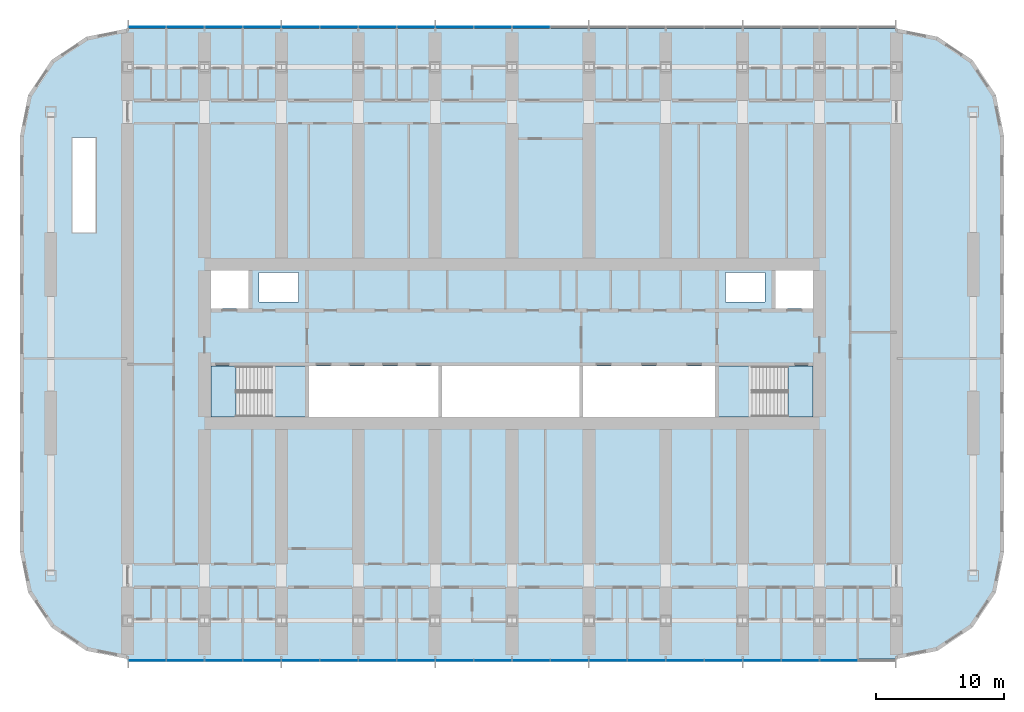
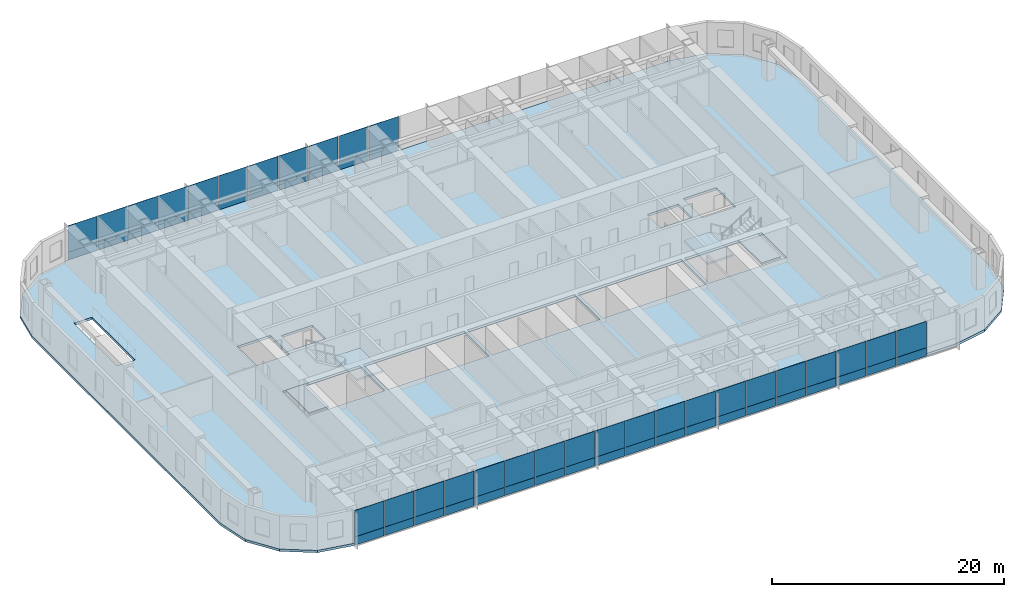
# One storey, part 8 of 24: 60 plates, 5 slabs, 4 elements without a shape of their own.
"""IFC4 building model written with IfcOpenShell, lengths in metres."""

import ifcopenshell
import ifcopenshell.guid

model = None  # the IFC model being written
_history = None  # IfcOwnerHistory: only IFC2X3 demands one
_inside = {}  # id of a spatial element -> (the spatial element, [elements in it])
_under = {}  # id of a project, library or spatial element -> (it, [spatial elements below it])
_declared = {}  # id of a project -> (the project, [libraries it declares])
_typed = {}  # id of a type object -> (the type object, [elements of that type])
_made_of = {}  # id of a material, layer set ... -> (it, [elements and type objects made of it])


def new_model(schema):
    """Start an empty IFC model of exactly this schema.

    Asked for "IFC4X3", IfcOpenShell would pick the latest addendum, in which some entities
    have other attributes; the version numbers below select the first issue.
    IFC2X3 requires an IfcOwnerHistory on every rooted entity: one is made here for all.
    """
    global model, _history
    if schema == "IFC4X3":
        model = ifcopenshell.file(schema_version=(4, 3, 0, 0))
    else:
        model = ifcopenshell.file(schema=schema)
    _inside.clear()
    _under.clear()
    _declared.clear()
    _typed.clear()
    _made_of.clear()
    _history = None
    if model.schema == "IFC2X3":
        org = make("IfcOrganization", Name="unknown")
        user = make(
            "IfcPersonAndOrganization",
            ThePerson=make("IfcPerson", FamilyName="unknown"),
            TheOrganization=org,
        )
        app = make(
            "IfcApplication",
            ApplicationDeveloper=org,
            Version="unknown",
            ApplicationFullName="unknown",
            ApplicationIdentifier="unknown",
        )
        _history = make(
            "IfcOwnerHistory",
            OwningUser=user,
            OwningApplication=app,
            ChangeAction="ADDED",
            CreationDate=0,
        )
    return model


def make(cls, **values):
    """One entity of the class cls with the attributes given. An attribute that is None is left unset."""
    return model.create_entity(
        cls, **{name: value for name, value in values.items() if value is not None}
    )


def rooted(cls, **values):
    """An entity with a GlobalId (a new one), such as an element, a storey or a relation."""
    return make(cls, GlobalId=ifcopenshell.guid.new(), OwnerHistory=_history, **values)


def si_unit(unit_type, name, prefix=None):
    """IfcSIUnit, for example si_unit("LENGTHUNIT", "METRE", prefix="MILLI")."""
    return make("IfcSIUnit", UnitType=unit_type, Prefix=prefix, Name=name)


def assignment(units):
    """IfcUnitAssignment: the units of a project."""
    return None if units is None else make("IfcUnitAssignment", Units=units)


def point(xyz):
    """IfcCartesianPoint."""
    return None if xyz is None else make("IfcCartesianPoint", Coordinates=xyz)


def direction(xyz):
    """IfcDirection."""
    return None if xyz is None else make("IfcDirection", DirectionRatios=xyz)


def frame(location, z_axis=None, x_axis=None):
    """IfcAxis2Placement3D, a coordinate frame: its origin and axes. An axis left out is left unset."""
    return make(
        "IfcAxis2Placement3D",
        Location=point(location),
        Axis=direction(z_axis),
        RefDirection=direction(x_axis),
    )


def frame_2d(location, x_axis=None):
    """IfcAxis2Placement2D, a coordinate frame in the plane: its origin and x axis."""
    return make(
        "IfcAxis2Placement2D", Location=point(location), RefDirection=direction(x_axis)
    )


def origin():
    """The frame at (0, 0, 0) with its axes left unset."""
    return frame((0.0, 0.0, 0.0))


def origin_2d():
    """The frame at (0, 0) in the plane with its x axis left unset."""
    return frame_2d((0.0, 0.0))


def place(relative_to, where):
    """IfcLocalPlacement: puts the frame where relative to a parent placement (None: the world)."""
    return make(
        "IfcLocalPlacement", PlacementRelTo=relative_to, RelativePlacement=where
    )


def context(
    kind, dimensions, precision=None, world=None, true_north=None, identifier=None
):
    """IfcGeometricRepresentationContext, for example the 3D "Model" context."""
    return make(
        "IfcGeometricRepresentationContext",
        ContextIdentifier=identifier,
        ContextType=kind,
        CoordinateSpaceDimension=dimensions,
        Precision=precision,
        WorldCoordinateSystem=world,
        TrueNorth=true_north,
    )


def subcontext(parent, identifier, kind, view, scale=None):
    """IfcGeometricRepresentationSubContext, for example "Body" below "Model"."""
    return make(
        "IfcGeometricRepresentationSubContext",
        ContextIdentifier=identifier,
        ContextType=kind,
        ParentContext=parent,
        TargetScale=scale,
        TargetView=view,
    )


def project(units=None, contexts=None):
    """IfcProject with its units and contexts."""
    return rooted(
        "IfcProject",
        Name="project",
        RepresentationContexts=contexts,
        UnitsInContext=assignment(units),
    )


def spatial(cls, under=None, at=None, **own):
    """A site, building, storey or space (cls), placed at a placement, below another one or the project."""
    s = rooted(cls, ObjectPlacement=at, **own)
    if under is not None:
        _under.setdefault(under.id(), (under, []))[1].append(s)
    return s


def polyline(points):
    """IfcPolyline through the points."""
    return make("IfcPolyline", Points=[point(p) for p in points])


def profile(cls, at=None, kind="AREA", **sizes):
    """A parametric profile (cls). Its sizes go by their IFC names, for example OverallWidth=200.0."""
    return make(cls, ProfileType=kind, Position=at, **sizes)


def rectangle(**sizes):
    """IfcRectangleProfileDef."""
    return profile("IfcRectangleProfileDef", **sizes)


def outline(outer, holes=None, kind="AREA"):
    """IfcArbitraryClosedProfileDef: a profile drawn as a closed curve; with holes, ...WithVoids."""
    if holes is None:
        return make("IfcArbitraryClosedProfileDef", ProfileType=kind, OuterCurve=outer)
    return make(
        "IfcArbitraryProfileDefWithVoids",
        ProfileType=kind,
        OuterCurve=outer,
        InnerCurves=holes,
    )


def extrude(swept, where, along, depth):
    """IfcExtrudedAreaSolid: the profile swept, set in the frame where, extruded along a direction by depth."""
    return make(
        "IfcExtrudedAreaSolid",
        SweptArea=swept,
        Position=where,
        ExtrudedDirection=direction(along),
        Depth=depth,
    )


def shape(context_of_items, identifier, shape_type, items):
    """IfcShapeRepresentation: the items that make up one representation, for example the "Body"."""
    return make(
        "IfcShapeRepresentation",
        ContextOfItems=context_of_items,
        RepresentationIdentifier=identifier,
        RepresentationType=shape_type,
        Items=items,
    )


def material(Name=None, Category=None):
    """IfcMaterial."""
    return make("IfcMaterial", Name=Name, Category=Category)


def layer(
    of_material, thickness, ventilated=None, Name=None, Category=None, Priority=None
):
    """IfcMaterialLayer: one layer of a wall or slab, of a material (None: an air gap)."""
    return make(
        "IfcMaterialLayer",
        Material=of_material,
        LayerThickness=thickness,
        IsVentilated=ventilated,
        Name=Name,
        Category=Category,
        Priority=Priority,
    )


def layer_set(layers, Name=None):
    """IfcMaterialLayerSet."""
    return make("IfcMaterialLayerSet", MaterialLayers=layers, LayerSetName=Name)


def made_of(thing, what):
    """Note that an element or type object is made of a material, layer set ...; save() writes the relation."""
    if what is not None:
        _made_of.setdefault(what.id(), (what, []))[1].append(thing)
    return thing


def type_object(cls, material=None, **own):
    """A type object (cls), such as IfcWallType, which elements share."""
    return made_of(rooted(cls, **own), material)


def element(
    cls,
    number,
    at=None,
    inside=None,
    cuts=None,
    type_object=None,
    material=None,
    context=None,
    identifier="Body",
    shape_type=None,
    held_by="IfcProductDefinitionShape",
    body=None,
    shapes=None,
    **own,
):
    """One element of the class cls, such as IfcWall. Its Tag is "e" and its number.

    at: its placement. inside: the storey or other place that contains it. cuts: it is an
    opening in that element (IfcRelVoidsElement). A single representation is given by context,
    identifier, shape_type and body (its items); several are given by shapes. held_by: the class
    of the entity that holds the representations. save() writes the other relations.
    """
    e = rooted(cls, Tag="e%d" % number, ObjectPlacement=at, **own)
    if body is not None:
        shapes = [shape(context, identifier, shape_type, body)]
    if shapes is not None:
        e.Representation = make(held_by, Representations=shapes)
    if inside is not None:
        _inside.setdefault(inside.id(), (inside, []))[1].append(e)
    if cuts is not None:
        rooted(
            "IfcRelVoidsElement", RelatingBuildingElement=cuts, RelatedOpeningElement=e
        )
    if type_object is not None:
        _typed.setdefault(type_object.id(), (type_object, []))[1].append(e)
    return made_of(e, material)


def aggregate(whole, parts):
    """IfcRelAggregates: a whole, such as a stair, and the parts it consists of."""
    return rooted("IfcRelAggregates", RelatingObject=whole, RelatedObjects=parts)


def save(model, path):
    """Write the relations noted so far, then the file.

    IfcRelAggregates (storeys below a building ...), IfcRelContainedInSpatialStructure (elements
    in a storey), IfcRelDefinesByType, IfcRelAssociatesMaterial and IfcRelDeclares: one each for
    every whole, place, type object, material and project.
    """
    for whole, parts in _under.values():
        aggregate(whole, parts)
    for where, things in _inside.values():
        rooted(
            "IfcRelContainedInSpatialStructure",
            RelatedElements=things,
            RelatingStructure=where,
        )
    for kind, things in _typed.values():
        rooted("IfcRelDefinesByType", RelatedObjects=things, RelatingType=kind)
    for what, things in _made_of.values():
        rooted("IfcRelAssociatesMaterial", RelatedObjects=things, RelatingMaterial=what)
    for by, libraries in _declared.values():
        rooted("IfcRelDeclares", RelatingContext=by, RelatedDefinitions=libraries)
    model.write(path)


model = new_model("IFC4")

# Units and contexts
model_context = context("Model", 3, precision=1e-05, world=origin(), true_north=direction((0.0, 1.0)))
body_context = subcontext(model_context, "Body", "Model", "MODEL_VIEW")
ifc_project = project(units=[si_unit("LENGTHUNIT", "METRE"), si_unit("AREAUNIT", "SQUARE_METRE"), si_unit("VOLUMEUNIT", "CUBIC_METRE"), si_unit("PLANEANGLEUNIT", "RADIAN"), si_unit("MASSUNIT", "GRAM", prefix="KILO")], contexts=[model_context])

# Site, building, storey
site_placement = place(None, origin())
site = spatial("IfcSite", under=ifc_project, at=site_placement, CompositionType="ELEMENT")
building_placement = place(site_placement, origin())
building = spatial("IfcBuilding", under=site, at=building_placement, Name="Orbita Commons", CompositionType="ELEMENT")
storey_placement = place(building_placement, frame((0.0, 0.0, 27.699951171875)))
storey = spatial("IfcBuildingStorey", under=building, at=storey_placement, Name="L06", CompositionType="ELEMENT", Elevation=27.699951171875)

# Slab
ifc_material_1 = material(Name="Concrete C40/50", Category="concrete")
ifc_layer_1 = layer(ifc_material_1, 0.25)
ifc_layer_set_1 = layer_set([ifc_layer_1], Name="Concrete C40/50")
slab_type_1 = type_object("IfcSlabType", Name="Floor slab 250", PredefinedType="FLOOR", material=ifc_layer_set_1)
slab_1_placement = place(storey_placement, frame((0.0, 0.0, -0.25)))
element("IfcSlab", 1, at=slab_1_placement, inside=storey, type_object=slab_type_1, Name="Floor slab L06", PredefinedType="FLOOR", context=body_context, shape_type="SweptSolid", body=[
    extrude(outline(polyline([(72.0, 7.39990234375), (75.214599609375, 8.039306640625), (77.939697265625, 9.8603515625), (79.760498046875, 12.58544921875), (80.39990234375, 15.800048828125), (80.39990234375, 48.199951171875), (79.760498046875, 51.41455078125), (77.939697265625, 54.1396484375), (75.214599609375, 55.960693359375), (72.0, 56.60009765625), (12.0, 56.60009765625), (8.785400390625, 55.960693359375), (6.060302734375, 54.1396484375), (4.239501953125, 51.41455078125), (3.60009765625, 48.199951171875), (3.60009765625, 15.800048828125), (4.239501953125, 12.58544921875), (6.060302734375, 9.8603515625), (8.785400390625, 8.039306640625), (12.0, 7.39990234375), (72.0, 7.39990234375)]), holes=[polyline([(18.14990234375, 25.949951171875), (25.85009765625, 25.949951171875), (25.85009765625, 30.25), (18.14990234375, 30.25), (18.14990234375, 25.949951171875)]), polyline([(58.14990234375, 25.949951171875), (65.85009765625, 25.949951171875), (65.85009765625, 30.25), (58.14990234375, 30.25), (58.14990234375, 25.949951171875)]), polyline([(18.14990234375, 34.75), (21.449951171875, 34.75), (21.449951171875, 38.050048828125), (18.14990234375, 38.050048828125), (18.14990234375, 34.75)]), polyline([(62.550048828125, 34.75), (65.85009765625, 34.75), (65.85009765625, 38.050048828125), (62.550048828125, 38.050048828125), (62.550048828125, 34.75)]), polyline([(22.25, 35.25), (25.35009765625, 35.25), (25.35009765625, 37.550048828125), (22.25, 37.550048828125), (22.25, 35.25)]), polyline([(58.64990234375, 35.25), (61.75, 35.25), (61.75, 37.550048828125), (58.64990234375, 37.550048828125), (58.64990234375, 35.25)]), polyline([(26.14990234375, 25.949951171875), (36.25, 25.949951171875), (36.25, 30.25), (26.14990234375, 30.25), (26.14990234375, 25.949951171875)]), polyline([(36.550048828125, 25.949951171875), (47.25, 25.949951171875), (47.25, 30.25), (36.550048828125, 30.25), (36.550048828125, 25.949951171875)]), polyline([(47.550048828125, 25.949951171875), (57.85009765625, 25.949951171875), (57.85009765625, 30.25), (47.550048828125, 30.25), (47.550048828125, 25.949951171875)]), polyline([(7.699951171875, 40.699951171875), (9.5, 40.699951171875), (9.5, 48.10009765625), (7.699951171875, 48.10009765625), (7.699951171875, 40.699951171875)])]), origin(), (0.0, 0.0, 1.0), 0.25),
])

# Curtain wall, plates
ifc_material_2 = material(Name="Anodised aluminium frame, pale silver", Category="aluminium")
curtain_wall_type = type_object("IfcCurtainWallType", Name="Unitised curtain wall CW-T, vision and spandrel", PredefinedType="NOTDEFINED", material=ifc_material_2)
curtain_wall_1_placement = place(storey_placement, origin())
curtain_wall_1 = element("IfcCurtainWall", 2, at=curtain_wall_1_placement, inside=storey, type_object=curtain_wall_type, Name="Curtain wall south L06", PredefinedType="NOTDEFINED")
ifc_material_3 = material(Name="Anodised aluminium sheet on mineral wool", Category="aluminium")
ifc_layer_2 = layer(ifc_material_3, 0.050048828125)
ifc_layer_set_2 = layer_set([ifc_layer_2], Name="Anodised aluminium sheet on mineral wool")
plate_type_1 = type_object("IfcPlateType", Name="Spandrel panel, pale aluminium over insulation 50", PredefinedType="CURTAIN_PANEL", material=ifc_layer_set_2)
plate_1_placement = place(storey_placement, frame((13.52001953125, 7.2900390625, -0.14990234375), z_axis=(0.0, 0.0, 1.0), x_axis=(1.0, 0.0, 0.0)))
plate_1 = element("IfcPlate", 3, at=plate_1_placement, type_object=plate_type_1, Name="Panel 1.1 CW-L06-S", PredefinedType="CURTAIN_PANEL", context=body_context, shape_type="SweptSolid", body=[
    extrude(rectangle(XDim=2.8798828125, YDim=0.050048828125, at=origin_2d()), origin(), (0.0, 0.0, 1.0), 0.875),
])
plate_2_placement = place(storey_placement, frame((16.5, 7.2900390625, -0.14990234375), z_axis=(0.0, 0.0, 1.0), x_axis=(1.0, 0.0, 0.0)))
plate_2 = element("IfcPlate", 4, at=plate_2_placement, type_object=plate_type_1, Name="Panel 2.1 CW-L06-S", PredefinedType="CURTAIN_PANEL", context=body_context, shape_type="SweptSolid", body=[
    extrude(rectangle(XDim=2.919921875, YDim=0.050048828125, at=origin_2d()), origin(), (0.0, 0.0, 1.0), 0.875),
])
plate_3_placement = place(storey_placement, frame((19.5, 7.2900390625, -0.14990234375), z_axis=(0.0, 0.0, 1.0), x_axis=(1.0, 0.0, 0.0)))
plate_3 = element("IfcPlate", 5, at=plate_3_placement, type_object=plate_type_1, Name="Panel 3.1 CW-L06-S", PredefinedType="CURTAIN_PANEL", context=body_context, shape_type="SweptSolid", body=[
    extrude(rectangle(XDim=2.919921875, YDim=0.050048828125, at=origin_2d()), origin(), (0.0, 0.0, 1.0), 0.875),
])
plate_4_placement = place(storey_placement, frame((22.5, 7.2900390625, -0.14990234375), z_axis=(0.0, 0.0, 1.0), x_axis=(1.0, 0.0, 0.0)))
plate_4 = element("IfcPlate", 6, at=plate_4_placement, type_object=plate_type_1, Name="Panel 4.1 CW-L06-S", PredefinedType="CURTAIN_PANEL", context=body_context, shape_type="SweptSolid", body=[
    extrude(rectangle(XDim=2.919921875, YDim=0.050048828125, at=origin_2d()), origin(), (0.0, 0.0, 1.0), 0.875),
])
plate_5_placement = place(storey_placement, frame((25.5, 7.2900390625, -0.14990234375), z_axis=(0.0, 0.0, 1.0), x_axis=(1.0, 0.0, 0.0)))
plate_5 = element("IfcPlate", 7, at=plate_5_placement, type_object=plate_type_1, Name="Panel 5.1 CW-L06-S", PredefinedType="CURTAIN_PANEL", context=body_context, shape_type="SweptSolid", body=[
    extrude(rectangle(XDim=2.919921875, YDim=0.050048828125, at=origin_2d()), origin(), (0.0, 0.0, 1.0), 0.875),
])
plate_6_placement = place(storey_placement, frame((28.5, 7.2900390625, -0.14990234375), z_axis=(0.0, 0.0, 1.0), x_axis=(1.0, 0.0, 0.0)))
plate_6 = element("IfcPlate", 8, at=plate_6_placement, type_object=plate_type_1, Name="Panel 6.1 CW-L06-S", PredefinedType="CURTAIN_PANEL", context=body_context, shape_type="SweptSolid", body=[
    extrude(rectangle(XDim=2.919921875, YDim=0.050048828125, at=origin_2d()), origin(), (0.0, 0.0, 1.0), 0.875),
])
plate_7_placement = place(storey_placement, frame((31.5, 7.2900390625, -0.14990234375), z_axis=(0.0, 0.0, 1.0), x_axis=(1.0, 0.0, 0.0)))
plate_7 = element("IfcPlate", 9, at=plate_7_placement, type_object=plate_type_1, Name="Panel 7.1 CW-L06-S", PredefinedType="CURTAIN_PANEL", context=body_context, shape_type="SweptSolid", body=[
    extrude(rectangle(XDim=2.919921875, YDim=0.050048828125, at=origin_2d()), origin(), (0.0, 0.0, 1.0), 0.875),
])
plate_8_placement = place(storey_placement, frame((34.5, 7.2900390625, -0.14990234375), z_axis=(0.0, 0.0, 1.0), x_axis=(1.0, 0.0, 0.0)))
plate_8 = element("IfcPlate", 10, at=plate_8_placement, type_object=plate_type_1, Name="Panel 8.1 CW-L06-S", PredefinedType="CURTAIN_PANEL", context=body_context, shape_type="SweptSolid", body=[
    extrude(rectangle(XDim=2.919921875, YDim=0.050048828125, at=origin_2d()), origin(), (0.0, 0.0, 1.0), 0.875),
])
plate_9_placement = place(storey_placement, frame((37.5, 7.2900390625, -0.14990234375), z_axis=(0.0, 0.0, 1.0), x_axis=(1.0, 0.0, 0.0)))
plate_9 = element("IfcPlate", 11, at=plate_9_placement, type_object=plate_type_1, Name="Panel 9.1 CW-L06-S", PredefinedType="CURTAIN_PANEL", context=body_context, shape_type="SweptSolid", body=[
    extrude(rectangle(XDim=2.919921875, YDim=0.050048828125, at=origin_2d()), origin(), (0.0, 0.0, 1.0), 0.875),
])
plate_10_placement = place(storey_placement, frame((40.5, 7.2900390625, -0.14990234375), z_axis=(0.0, 0.0, 1.0), x_axis=(1.0, 0.0, 0.0)))
plate_10 = element("IfcPlate", 12, at=plate_10_placement, type_object=plate_type_1, Name="Panel 10.1 CW-L06-S", PredefinedType="CURTAIN_PANEL", context=body_context, shape_type="SweptSolid", body=[
    extrude(rectangle(XDim=2.919921875, YDim=0.050048828125, at=origin_2d()), origin(), (0.0, 0.0, 1.0), 0.875),
])
plate_11_placement = place(storey_placement, frame((43.5, 7.2900390625, -0.14990234375), z_axis=(0.0, 0.0, 1.0), x_axis=(1.0, 0.0, 0.0)))
plate_11 = element("IfcPlate", 13, at=plate_11_placement, type_object=plate_type_1, Name="Panel 11.1 CW-L06-S", PredefinedType="CURTAIN_PANEL", context=body_context, shape_type="SweptSolid", body=[
    extrude(rectangle(XDim=2.919921875, YDim=0.050048828125, at=origin_2d()), origin(), (0.0, 0.0, 1.0), 0.875),
])
plate_12_placement = place(storey_placement, frame((46.5, 7.2900390625, -0.14990234375), z_axis=(0.0, 0.0, 1.0), x_axis=(1.0, 0.0, 0.0)))
plate_12 = element("IfcPlate", 14, at=plate_12_placement, type_object=plate_type_1, Name="Panel 12.1 CW-L06-S", PredefinedType="CURTAIN_PANEL", context=body_context, shape_type="SweptSolid", body=[
    extrude(rectangle(XDim=2.919921875, YDim=0.050048828125, at=origin_2d()), origin(), (0.0, 0.0, 1.0), 0.875),
])
plate_13_placement = place(storey_placement, frame((49.5, 7.2900390625, -0.14990234375), z_axis=(0.0, 0.0, 1.0), x_axis=(1.0, 0.0, 0.0)))
plate_13 = element("IfcPlate", 15, at=plate_13_placement, type_object=plate_type_1, Name="Panel 13.1 CW-L06-S", PredefinedType="CURTAIN_PANEL", context=body_context, shape_type="SweptSolid", body=[
    extrude(rectangle(XDim=2.919921875, YDim=0.050048828125, at=origin_2d()), origin(), (0.0, 0.0, 1.0), 0.875),
])
plate_14_placement = place(storey_placement, frame((52.5, 7.2900390625, -0.14990234375), z_axis=(0.0, 0.0, 1.0), x_axis=(1.0, 0.0, 0.0)))
plate_14 = element("IfcPlate", 16, at=plate_14_placement, type_object=plate_type_1, Name="Panel 14.1 CW-L06-S", PredefinedType="CURTAIN_PANEL", context=body_context, shape_type="SweptSolid", body=[
    extrude(rectangle(XDim=2.919921875, YDim=0.050048828125, at=origin_2d()), origin(), (0.0, 0.0, 1.0), 0.875),
])
plate_15_placement = place(storey_placement, frame((55.5, 7.2900390625, -0.14990234375), z_axis=(0.0, 0.0, 1.0), x_axis=(1.0, 0.0, 0.0)))
plate_15 = element("IfcPlate", 17, at=plate_15_placement, type_object=plate_type_1, Name="Panel 15.1 CW-L06-S", PredefinedType="CURTAIN_PANEL", context=body_context, shape_type="SweptSolid", body=[
    extrude(rectangle(XDim=2.919921875, YDim=0.050048828125, at=origin_2d()), origin(), (0.0, 0.0, 1.0), 0.875),
])
plate_16_placement = place(storey_placement, frame((58.5, 7.2900390625, -0.14990234375), z_axis=(0.0, 0.0, 1.0), x_axis=(1.0, 0.0, 0.0)))
plate_16 = element("IfcPlate", 18, at=plate_16_placement, type_object=plate_type_1, Name="Panel 16.1 CW-L06-S", PredefinedType="CURTAIN_PANEL", context=body_context, shape_type="SweptSolid", body=[
    extrude(rectangle(XDim=2.919921875, YDim=0.050048828125, at=origin_2d()), origin(), (0.0, 0.0, 1.0), 0.875),
])
plate_17_placement = place(storey_placement, frame((61.5, 7.2900390625, -0.14990234375), z_axis=(0.0, 0.0, 1.0), x_axis=(1.0, 0.0, 0.0)))
plate_17 = element("IfcPlate", 19, at=plate_17_placement, type_object=plate_type_1, Name="Panel 17.1 CW-L06-S", PredefinedType="CURTAIN_PANEL", context=body_context, shape_type="SweptSolid", body=[
    extrude(rectangle(XDim=2.919921875, YDim=0.050048828125, at=origin_2d()), origin(), (0.0, 0.0, 1.0), 0.875),
])
plate_18_placement = place(storey_placement, frame((64.5, 7.2900390625, -0.14990234375), z_axis=(0.0, 0.0, 1.0), x_axis=(1.0, 0.0, 0.0)))
plate_18 = element("IfcPlate", 20, at=plate_18_placement, type_object=plate_type_1, Name="Panel 18.1 CW-L06-S", PredefinedType="CURTAIN_PANEL", context=body_context, shape_type="SweptSolid", body=[
    extrude(rectangle(XDim=2.919921875, YDim=0.050048828125, at=origin_2d()), origin(), (0.0, 0.0, 1.0), 0.875),
])
plate_19_placement = place(storey_placement, frame((67.5, 7.2900390625, -0.14990234375), z_axis=(0.0, 0.0, 1.0), x_axis=(1.0, 0.0, 0.0)))
plate_19 = element("IfcPlate", 21, at=plate_19_placement, type_object=plate_type_1, Name="Panel 19.1 CW-L06-S", PredefinedType="CURTAIN_PANEL", context=body_context, shape_type="SweptSolid", body=[
    extrude(rectangle(XDim=2.919921875, YDim=0.050048828125, at=origin_2d()), origin(), (0.0, 0.0, 1.0), 0.875),
])

curtain_wall_2_placement = place(storey_placement, origin())
curtain_wall_2 = element("IfcCurtainWall", 22, at=curtain_wall_2_placement, inside=storey, type_object=curtain_wall_type, Name="Curtain wall north L06", PredefinedType="NOTDEFINED")
plate_20_placement = place(storey_placement, frame((43.5, 56.7099609375, -0.14990234375), z_axis=(0.0, 0.0, 1.0), x_axis=(-1.0, 0.0, 0.0)))
plate_20 = element("IfcPlate", 23, at=plate_20_placement, type_object=plate_type_1, Name="Panel 10.1 CW-L06-N", PredefinedType="CURTAIN_PANEL", context=body_context, shape_type="SweptSolid", body=[
    extrude(rectangle(XDim=2.919921875, YDim=0.050048828125, at=origin_2d()), origin(), (0.0, 0.0, 1.0), 0.875),
])
plate_21_placement = place(storey_placement, frame((40.5, 56.7099609375, -0.14990234375), z_axis=(0.0, 0.0, 1.0), x_axis=(-1.0, 0.0, 0.0)))
plate_21 = element("IfcPlate", 24, at=plate_21_placement, type_object=plate_type_1, Name="Panel 11.1 CW-L06-N", PredefinedType="CURTAIN_PANEL", context=body_context, shape_type="SweptSolid", body=[
    extrude(rectangle(XDim=2.919921875, YDim=0.050048828125, at=origin_2d()), origin(), (0.0, 0.0, 1.0), 0.875),
])
plate_22_placement = place(storey_placement, frame((37.5, 56.7099609375, -0.14990234375), z_axis=(0.0, 0.0, 1.0), x_axis=(-1.0, 0.0, 0.0)))
plate_22 = element("IfcPlate", 25, at=plate_22_placement, type_object=plate_type_1, Name="Panel 12.1 CW-L06-N", PredefinedType="CURTAIN_PANEL", context=body_context, shape_type="SweptSolid", body=[
    extrude(rectangle(XDim=2.919921875, YDim=0.050048828125, at=origin_2d()), origin(), (0.0, 0.0, 1.0), 0.875),
])
plate_23_placement = place(storey_placement, frame((34.5, 56.7099609375, -0.14990234375), z_axis=(0.0, 0.0, 1.0), x_axis=(-1.0, 0.0, 0.0)))
plate_23 = element("IfcPlate", 26, at=plate_23_placement, type_object=plate_type_1, Name="Panel 13.1 CW-L06-N", PredefinedType="CURTAIN_PANEL", context=body_context, shape_type="SweptSolid", body=[
    extrude(rectangle(XDim=2.919921875, YDim=0.050048828125, at=origin_2d()), origin(), (0.0, 0.0, 1.0), 0.875),
])
plate_24_placement = place(storey_placement, frame((31.5, 56.7099609375, -0.14990234375), z_axis=(0.0, 0.0, 1.0), x_axis=(-1.0, 0.0, 0.0)))
plate_24 = element("IfcPlate", 27, at=plate_24_placement, type_object=plate_type_1, Name="Panel 14.1 CW-L06-N", PredefinedType="CURTAIN_PANEL", context=body_context, shape_type="SweptSolid", body=[
    extrude(rectangle(XDim=2.919921875, YDim=0.050048828125, at=origin_2d()), origin(), (0.0, 0.0, 1.0), 0.875),
])
plate_25_placement = place(storey_placement, frame((28.5, 56.7099609375, -0.14990234375), z_axis=(0.0, 0.0, 1.0), x_axis=(-1.0, 0.0, 0.0)))
plate_25 = element("IfcPlate", 28, at=plate_25_placement, type_object=plate_type_1, Name="Panel 15.1 CW-L06-N", PredefinedType="CURTAIN_PANEL", context=body_context, shape_type="SweptSolid", body=[
    extrude(rectangle(XDim=2.919921875, YDim=0.050048828125, at=origin_2d()), origin(), (0.0, 0.0, 1.0), 0.875),
])
plate_26_placement = place(storey_placement, frame((25.5, 56.7099609375, -0.14990234375), z_axis=(0.0, 0.0, 1.0), x_axis=(-1.0, 0.0, 0.0)))
plate_26 = element("IfcPlate", 29, at=plate_26_placement, type_object=plate_type_1, Name="Panel 16.1 CW-L06-N", PredefinedType="CURTAIN_PANEL", context=body_context, shape_type="SweptSolid", body=[
    extrude(rectangle(XDim=2.919921875, YDim=0.050048828125, at=origin_2d()), origin(), (0.0, 0.0, 1.0), 0.875),
])
plate_27_placement = place(storey_placement, frame((22.5, 56.7099609375, -0.14990234375), z_axis=(0.0, 0.0, 1.0), x_axis=(-1.0, 0.0, 0.0)))
plate_27 = element("IfcPlate", 30, at=plate_27_placement, type_object=plate_type_1, Name="Panel 17.1 CW-L06-N", PredefinedType="CURTAIN_PANEL", context=body_context, shape_type="SweptSolid", body=[
    extrude(rectangle(XDim=2.919921875, YDim=0.050048828125, at=origin_2d()), origin(), (0.0, 0.0, 1.0), 0.875),
])
plate_28_placement = place(storey_placement, frame((19.5, 56.7099609375, -0.14990234375), z_axis=(0.0, 0.0, 1.0), x_axis=(-1.0, 0.0, 0.0)))
plate_28 = element("IfcPlate", 31, at=plate_28_placement, type_object=plate_type_1, Name="Panel 18.1 CW-L06-N", PredefinedType="CURTAIN_PANEL", context=body_context, shape_type="SweptSolid", body=[
    extrude(rectangle(XDim=2.919921875, YDim=0.050048828125, at=origin_2d()), origin(), (0.0, 0.0, 1.0), 0.875),
])
plate_29_placement = place(storey_placement, frame((16.5, 56.7099609375, -0.14990234375), z_axis=(0.0, 0.0, 1.0), x_axis=(-1.0, 0.0, 0.0)))
plate_29 = element("IfcPlate", 32, at=plate_29_placement, type_object=plate_type_1, Name="Panel 19.1 CW-L06-N", PredefinedType="CURTAIN_PANEL", context=body_context, shape_type="SweptSolid", body=[
    extrude(rectangle(XDim=2.919921875, YDim=0.050048828125, at=origin_2d()), origin(), (0.0, 0.0, 1.0), 0.875),
])
plate_30_placement = place(storey_placement, frame((13.52001953125, 56.7099609375, -0.14990234375), z_axis=(0.0, 0.0, 1.0), x_axis=(-1.0, 0.0, 0.0)))
plate_30 = element("IfcPlate", 33, at=plate_30_placement, type_object=plate_type_1, Name="Panel 20.1 CW-L06-N", PredefinedType="CURTAIN_PANEL", context=body_context, shape_type="SweptSolid", body=[
    extrude(rectangle(XDim=2.8798828125, YDim=0.050048828125, at=origin_2d()), origin(), (0.0, 0.0, 1.0), 0.875),
])

# Stair, slabs
ifc_material_4 = material(Name="Precast concrete C40/50", Category="concrete")
stair_type_1 = type_object("IfcStairType", Name="Exit stair S1 2 flights 11 risers 170", PredefinedType="HALF_TURN_STAIR", material=ifc_material_4)
stair_1_placement = place(storey_placement, origin())
stair_1 = element("IfcStair", 34, at=stair_1_placement, inside=storey, type_object=stair_type_1, Name="Exit stair S1 L06", PredefinedType="HALF_TURN_STAIR")
ifc_material_5 = material(Name="Concrete C40/50", Category="concrete")
ifc_layer_3 = layer(ifc_material_5, 0.199951171875)
ifc_layer_set_3 = layer_set([ifc_layer_3], Name="Concrete C40/50")
slab_type_2 = type_object("IfcSlabType", Name="Stair landing 200", PredefinedType="LANDING", material=ifc_layer_set_3)
slab_2_placement = place(storey_placement, frame((0.0, 0.0, -0.199951171875)))
slab_2 = element("IfcSlab", 35, at=slab_2_placement, type_object=slab_type_2, Name="S1 landing 1", PredefinedType="LANDING", context=body_context, shape_type="SweptSolid", body=[
    extrude(outline(polyline([(18.5, 26.300048828125), (20.449951171875, 26.300048828125), (20.449951171875, 30.25), (18.5, 30.25), (18.5, 26.300048828125)])), origin(), (0.0, 0.0, 1.0), 0.199951171875),
])
slab_3_placement = place(storey_placement, frame((0.0, 0.0, 1.675048828125)))
slab_3 = element("IfcSlab", 36, at=slab_3_placement, type_object=slab_type_2, Name="S1 landing 2", PredefinedType="LANDING", context=body_context, shape_type="SweptSolid", body=[
    extrude(outline(polyline([(23.25, 26.284912109375), (25.864990234375, 26.284912109375), (25.864990234375, 30.264892578125), (23.25, 30.264892578125), (23.25, 26.284912109375)])), origin(), (0.0, 0.0, 1.0), 0.199951171875),
])
aggregate(stair_1, [slab_2, slab_3])

ifc_material_6 = material(Name="Precast concrete C40/50", Category="concrete")
stair_type_2 = type_object("IfcStairType", Name="Exit stair S2 2 flights 11 risers 170", PredefinedType="HALF_TURN_STAIR", material=ifc_material_6)
stair_2_placement = place(storey_placement, origin())
stair_2 = element("IfcStair", 37, at=stair_2_placement, inside=storey, type_object=stair_type_2, Name="Exit stair S2 L06", PredefinedType="HALF_TURN_STAIR")
slab_4_placement = place(storey_placement, frame((0.0, 0.0, -0.199951171875)))
slab_4 = element("IfcSlab", 38, at=slab_4_placement, type_object=slab_type_2, Name="S2 landing 1", PredefinedType="LANDING", context=body_context, shape_type="SweptSolid", body=[
    extrude(outline(polyline([(63.550048828125, 26.300048828125), (65.5, 26.300048828125), (65.5, 30.25), (63.550048828125, 30.25), (63.550048828125, 26.300048828125)])), origin(), (0.0, 0.0, 1.0), 0.199951171875),
])
slab_5_placement = place(storey_placement, frame((0.0, 0.0, 1.675048828125)))
slab_5 = element("IfcSlab", 39, at=slab_5_placement, type_object=slab_type_2, Name="S2 landing 2", PredefinedType="LANDING", context=body_context, shape_type="SweptSolid", body=[
    extrude(outline(polyline([(58.135009765625, 26.284912109375), (60.75, 26.284912109375), (60.75, 30.264892578125), (58.135009765625, 30.264892578125), (58.135009765625, 26.284912109375)])), origin(), (0.0, 0.0, 1.0), 0.199951171875),
])
aggregate(stair_2, [slab_4, slab_5])

# Plate
ifc_material_7 = material(Name="Clear double glazing", Category="glass")
ifc_layer_4 = layer(ifc_material_7, 0.031982421875)
ifc_layer_set_4 = layer_set([ifc_layer_4], Name="Clear double glazing")
plate_type_2 = type_object("IfcPlateType", Name="Vision panel, clear double glazing 32", PredefinedType="CURTAIN_PANEL", material=ifc_layer_set_4)
plate_31_placement = place(storey_placement, frame((13.52001953125, 7.2900390625, 0.72509765625), z_axis=(0.0, 0.0, 1.0), x_axis=(1.0, 0.0, 0.0)))
plate_31 = element("IfcPlate", 40, at=plate_31_placement, type_object=plate_type_2, Name="Panel 1.2 CW-L06-S", PredefinedType="CURTAIN_PANEL", context=body_context, shape_type="SweptSolid", body=[
    extrude(rectangle(XDim=2.8798828125, YDim=0.031982421875, at=origin_2d()), origin(), (0.0, 0.0, 1.0), 2.77490234375),
])

plate_32_placement = place(storey_placement, frame((16.5, 7.2900390625, 0.72509765625), z_axis=(0.0, 0.0, 1.0), x_axis=(1.0, 0.0, 0.0)))
plate_32 = element("IfcPlate", 41, at=plate_32_placement, type_object=plate_type_2, Name="Panel 2.2 CW-L06-S", PredefinedType="CURTAIN_PANEL", context=body_context, shape_type="SweptSolid", body=[
    extrude(rectangle(XDim=2.919921875, YDim=0.031982421875, at=origin_2d()), origin(), (0.0, 0.0, 1.0), 2.77490234375),
])

plate_33_placement = place(storey_placement, frame((19.5, 7.2900390625, 0.72509765625), z_axis=(0.0, 0.0, 1.0), x_axis=(1.0, 0.0, 0.0)))
plate_33 = element("IfcPlate", 42, at=plate_33_placement, type_object=plate_type_2, Name="Panel 3.2 CW-L06-S", PredefinedType="CURTAIN_PANEL", context=body_context, shape_type="SweptSolid", body=[
    extrude(rectangle(XDim=2.919921875, YDim=0.031982421875, at=origin_2d()), origin(), (0.0, 0.0, 1.0), 2.77490234375),
])

plate_34_placement = place(storey_placement, frame((22.5, 7.2900390625, 0.72509765625), z_axis=(0.0, 0.0, 1.0), x_axis=(1.0, 0.0, 0.0)))
plate_34 = element("IfcPlate", 43, at=plate_34_placement, type_object=plate_type_2, Name="Panel 4.2 CW-L06-S", PredefinedType="CURTAIN_PANEL", context=body_context, shape_type="SweptSolid", body=[
    extrude(rectangle(XDim=2.919921875, YDim=0.031982421875, at=origin_2d()), origin(), (0.0, 0.0, 1.0), 2.77490234375),
])

plate_35_placement = place(storey_placement, frame((25.5, 7.2900390625, 0.72509765625), z_axis=(0.0, 0.0, 1.0), x_axis=(1.0, 0.0, 0.0)))
plate_35 = element("IfcPlate", 44, at=plate_35_placement, type_object=plate_type_2, Name="Panel 5.2 CW-L06-S", PredefinedType="CURTAIN_PANEL", context=body_context, shape_type="SweptSolid", body=[
    extrude(rectangle(XDim=2.919921875, YDim=0.031982421875, at=origin_2d()), origin(), (0.0, 0.0, 1.0), 2.77490234375),
])

plate_36_placement = place(storey_placement, frame((28.5, 7.2900390625, 0.72509765625), z_axis=(0.0, 0.0, 1.0), x_axis=(1.0, 0.0, 0.0)))
plate_36 = element("IfcPlate", 45, at=plate_36_placement, type_object=plate_type_2, Name="Panel 6.2 CW-L06-S", PredefinedType="CURTAIN_PANEL", context=body_context, shape_type="SweptSolid", body=[
    extrude(rectangle(XDim=2.919921875, YDim=0.031982421875, at=origin_2d()), origin(), (0.0, 0.0, 1.0), 2.77490234375),
])

plate_37_placement = place(storey_placement, frame((31.5, 7.2900390625, 0.72509765625), z_axis=(0.0, 0.0, 1.0), x_axis=(1.0, 0.0, 0.0)))
plate_37 = element("IfcPlate", 46, at=plate_37_placement, type_object=plate_type_2, Name="Panel 7.2 CW-L06-S", PredefinedType="CURTAIN_PANEL", context=body_context, shape_type="SweptSolid", body=[
    extrude(rectangle(XDim=2.919921875, YDim=0.031982421875, at=origin_2d()), origin(), (0.0, 0.0, 1.0), 2.77490234375),
])

plate_38_placement = place(storey_placement, frame((34.5, 7.2900390625, 0.72509765625), z_axis=(0.0, 0.0, 1.0), x_axis=(1.0, 0.0, 0.0)))
plate_38 = element("IfcPlate", 47, at=plate_38_placement, type_object=plate_type_2, Name="Panel 8.2 CW-L06-S", PredefinedType="CURTAIN_PANEL", context=body_context, shape_type="SweptSolid", body=[
    extrude(rectangle(XDim=2.919921875, YDim=0.031982421875, at=origin_2d()), origin(), (0.0, 0.0, 1.0), 2.77490234375),
])

plate_39_placement = place(storey_placement, frame((37.5, 7.2900390625, 0.72509765625), z_axis=(0.0, 0.0, 1.0), x_axis=(1.0, 0.0, 0.0)))
plate_39 = element("IfcPlate", 48, at=plate_39_placement, type_object=plate_type_2, Name="Panel 9.2 CW-L06-S", PredefinedType="CURTAIN_PANEL", context=body_context, shape_type="SweptSolid", body=[
    extrude(rectangle(XDim=2.919921875, YDim=0.031982421875, at=origin_2d()), origin(), (0.0, 0.0, 1.0), 2.77490234375),
])

plate_40_placement = place(storey_placement, frame((40.5, 7.2900390625, 0.72509765625), z_axis=(0.0, 0.0, 1.0), x_axis=(1.0, 0.0, 0.0)))
plate_40 = element("IfcPlate", 49, at=plate_40_placement, type_object=plate_type_2, Name="Panel 10.2 CW-L06-S", PredefinedType="CURTAIN_PANEL", context=body_context, shape_type="SweptSolid", body=[
    extrude(rectangle(XDim=2.919921875, YDim=0.031982421875, at=origin_2d()), origin(), (0.0, 0.0, 1.0), 2.77490234375),
])

plate_41_placement = place(storey_placement, frame((43.5, 7.2900390625, 0.72509765625), z_axis=(0.0, 0.0, 1.0), x_axis=(1.0, 0.0, 0.0)))
plate_41 = element("IfcPlate", 50, at=plate_41_placement, type_object=plate_type_2, Name="Panel 11.2 CW-L06-S", PredefinedType="CURTAIN_PANEL", context=body_context, shape_type="SweptSolid", body=[
    extrude(rectangle(XDim=2.919921875, YDim=0.031982421875, at=origin_2d()), origin(), (0.0, 0.0, 1.0), 2.77490234375),
])

plate_42_placement = place(storey_placement, frame((46.5, 7.2900390625, 0.72509765625), z_axis=(0.0, 0.0, 1.0), x_axis=(1.0, 0.0, 0.0)))
plate_42 = element("IfcPlate", 51, at=plate_42_placement, type_object=plate_type_2, Name="Panel 12.2 CW-L06-S", PredefinedType="CURTAIN_PANEL", context=body_context, shape_type="SweptSolid", body=[
    extrude(rectangle(XDim=2.919921875, YDim=0.031982421875, at=origin_2d()), origin(), (0.0, 0.0, 1.0), 2.77490234375),
])

plate_43_placement = place(storey_placement, frame((49.5, 7.2900390625, 0.72509765625), z_axis=(0.0, 0.0, 1.0), x_axis=(1.0, 0.0, 0.0)))
plate_43 = element("IfcPlate", 52, at=plate_43_placement, type_object=plate_type_2, Name="Panel 13.2 CW-L06-S", PredefinedType="CURTAIN_PANEL", context=body_context, shape_type="SweptSolid", body=[
    extrude(rectangle(XDim=2.919921875, YDim=0.031982421875, at=origin_2d()), origin(), (0.0, 0.0, 1.0), 2.77490234375),
])

plate_44_placement = place(storey_placement, frame((52.5, 7.2900390625, 0.72509765625), z_axis=(0.0, 0.0, 1.0), x_axis=(1.0, 0.0, 0.0)))
plate_44 = element("IfcPlate", 53, at=plate_44_placement, type_object=plate_type_2, Name="Panel 14.2 CW-L06-S", PredefinedType="CURTAIN_PANEL", context=body_context, shape_type="SweptSolid", body=[
    extrude(rectangle(XDim=2.919921875, YDim=0.031982421875, at=origin_2d()), origin(), (0.0, 0.0, 1.0), 2.77490234375),
])

plate_45_placement = place(storey_placement, frame((55.5, 7.2900390625, 0.72509765625), z_axis=(0.0, 0.0, 1.0), x_axis=(1.0, 0.0, 0.0)))
plate_45 = element("IfcPlate", 54, at=plate_45_placement, type_object=plate_type_2, Name="Panel 15.2 CW-L06-S", PredefinedType="CURTAIN_PANEL", context=body_context, shape_type="SweptSolid", body=[
    extrude(rectangle(XDim=2.919921875, YDim=0.031982421875, at=origin_2d()), origin(), (0.0, 0.0, 1.0), 2.77490234375),
])

plate_46_placement = place(storey_placement, frame((58.5, 7.2900390625, 0.72509765625), z_axis=(0.0, 0.0, 1.0), x_axis=(1.0, 0.0, 0.0)))
plate_46 = element("IfcPlate", 55, at=plate_46_placement, type_object=plate_type_2, Name="Panel 16.2 CW-L06-S", PredefinedType="CURTAIN_PANEL", context=body_context, shape_type="SweptSolid", body=[
    extrude(rectangle(XDim=2.919921875, YDim=0.031982421875, at=origin_2d()), origin(), (0.0, 0.0, 1.0), 2.77490234375),
])

plate_47_placement = place(storey_placement, frame((61.5, 7.2900390625, 0.72509765625), z_axis=(0.0, 0.0, 1.0), x_axis=(1.0, 0.0, 0.0)))
plate_47 = element("IfcPlate", 56, at=plate_47_placement, type_object=plate_type_2, Name="Panel 17.2 CW-L06-S", PredefinedType="CURTAIN_PANEL", context=body_context, shape_type="SweptSolid", body=[
    extrude(rectangle(XDim=2.919921875, YDim=0.031982421875, at=origin_2d()), origin(), (0.0, 0.0, 1.0), 2.77490234375),
])

plate_48_placement = place(storey_placement, frame((64.5, 7.2900390625, 0.72509765625), z_axis=(0.0, 0.0, 1.0), x_axis=(1.0, 0.0, 0.0)))
plate_48 = element("IfcPlate", 57, at=plate_48_placement, type_object=plate_type_2, Name="Panel 18.2 CW-L06-S", PredefinedType="CURTAIN_PANEL", context=body_context, shape_type="SweptSolid", body=[
    extrude(rectangle(XDim=2.919921875, YDim=0.031982421875, at=origin_2d()), origin(), (0.0, 0.0, 1.0), 2.77490234375),
])

plate_49_placement = place(storey_placement, frame((67.5, 7.2900390625, 0.72509765625), z_axis=(0.0, 0.0, 1.0), x_axis=(1.0, 0.0, 0.0)))
plate_49 = element("IfcPlate", 58, at=plate_49_placement, type_object=plate_type_2, Name="Panel 19.2 CW-L06-S", PredefinedType="CURTAIN_PANEL", context=body_context, shape_type="SweptSolid", body=[
    extrude(rectangle(XDim=2.919921875, YDim=0.031982421875, at=origin_2d()), origin(), (0.0, 0.0, 1.0), 2.77490234375),
])

aggregate(curtain_wall_1, [plate_1, plate_31, plate_2, plate_32, plate_3, plate_33, plate_4, plate_34, plate_5, plate_35, plate_6, plate_36, plate_7, plate_37, plate_8, plate_38, plate_9, plate_39, plate_10, plate_40, plate_11, plate_41, plate_12, plate_42, plate_13, plate_43, plate_14, plate_44, plate_15, plate_45, plate_16, plate_46, plate_17, plate_47, plate_18, plate_48, plate_19, plate_49])

plate_50_placement = place(storey_placement, frame((43.5, 56.7099609375, 0.72509765625), z_axis=(0.0, 0.0, 1.0), x_axis=(-1.0, 0.0, 0.0)))
plate_50 = element("IfcPlate", 59, at=plate_50_placement, type_object=plate_type_2, Name="Panel 10.2 CW-L06-N", PredefinedType="CURTAIN_PANEL", context=body_context, shape_type="SweptSolid", body=[
    extrude(rectangle(XDim=2.919921875, YDim=0.031982421875, at=origin_2d()), origin(), (0.0, 0.0, 1.0), 2.77490234375),
])

plate_51_placement = place(storey_placement, frame((40.5, 56.7099609375, 0.72509765625), z_axis=(0.0, 0.0, 1.0), x_axis=(-1.0, 0.0, 0.0)))
plate_51 = element("IfcPlate", 60, at=plate_51_placement, type_object=plate_type_2, Name="Panel 11.2 CW-L06-N", PredefinedType="CURTAIN_PANEL", context=body_context, shape_type="SweptSolid", body=[
    extrude(rectangle(XDim=2.919921875, YDim=0.031982421875, at=origin_2d()), origin(), (0.0, 0.0, 1.0), 2.77490234375),
])

plate_52_placement = place(storey_placement, frame((37.5, 56.7099609375, 0.72509765625), z_axis=(0.0, 0.0, 1.0), x_axis=(-1.0, 0.0, 0.0)))
plate_52 = element("IfcPlate", 61, at=plate_52_placement, type_object=plate_type_2, Name="Panel 12.2 CW-L06-N", PredefinedType="CURTAIN_PANEL", context=body_context, shape_type="SweptSolid", body=[
    extrude(rectangle(XDim=2.919921875, YDim=0.031982421875, at=origin_2d()), origin(), (0.0, 0.0, 1.0), 2.77490234375),
])

plate_53_placement = place(storey_placement, frame((34.5, 56.7099609375, 0.72509765625), z_axis=(0.0, 0.0, 1.0), x_axis=(-1.0, 0.0, 0.0)))
plate_53 = element("IfcPlate", 62, at=plate_53_placement, type_object=plate_type_2, Name="Panel 13.2 CW-L06-N", PredefinedType="CURTAIN_PANEL", context=body_context, shape_type="SweptSolid", body=[
    extrude(rectangle(XDim=2.919921875, YDim=0.031982421875, at=origin_2d()), origin(), (0.0, 0.0, 1.0), 2.77490234375),
])

plate_54_placement = place(storey_placement, frame((31.5, 56.7099609375, 0.72509765625), z_axis=(0.0, 0.0, 1.0), x_axis=(-1.0, 0.0, 0.0)))
plate_54 = element("IfcPlate", 63, at=plate_54_placement, type_object=plate_type_2, Name="Panel 14.2 CW-L06-N", PredefinedType="CURTAIN_PANEL", context=body_context, shape_type="SweptSolid", body=[
    extrude(rectangle(XDim=2.919921875, YDim=0.031982421875, at=origin_2d()), origin(), (0.0, 0.0, 1.0), 2.77490234375),
])

plate_55_placement = place(storey_placement, frame((28.5, 56.7099609375, 0.72509765625), z_axis=(0.0, 0.0, 1.0), x_axis=(-1.0, 0.0, 0.0)))
plate_55 = element("IfcPlate", 64, at=plate_55_placement, type_object=plate_type_2, Name="Panel 15.2 CW-L06-N", PredefinedType="CURTAIN_PANEL", context=body_context, shape_type="SweptSolid", body=[
    extrude(rectangle(XDim=2.919921875, YDim=0.031982421875, at=origin_2d()), origin(), (0.0, 0.0, 1.0), 2.77490234375),
])

plate_56_placement = place(storey_placement, frame((25.5, 56.7099609375, 0.72509765625), z_axis=(0.0, 0.0, 1.0), x_axis=(-1.0, 0.0, 0.0)))
plate_56 = element("IfcPlate", 65, at=plate_56_placement, type_object=plate_type_2, Name="Panel 16.2 CW-L06-N", PredefinedType="CURTAIN_PANEL", context=body_context, shape_type="SweptSolid", body=[
    extrude(rectangle(XDim=2.919921875, YDim=0.031982421875, at=origin_2d()), origin(), (0.0, 0.0, 1.0), 2.77490234375),
])

plate_57_placement = place(storey_placement, frame((22.5, 56.7099609375, 0.72509765625), z_axis=(0.0, 0.0, 1.0), x_axis=(-1.0, 0.0, 0.0)))
plate_57 = element("IfcPlate", 66, at=plate_57_placement, type_object=plate_type_2, Name="Panel 17.2 CW-L06-N", PredefinedType="CURTAIN_PANEL", context=body_context, shape_type="SweptSolid", body=[
    extrude(rectangle(XDim=2.919921875, YDim=0.031982421875, at=origin_2d()), origin(), (0.0, 0.0, 1.0), 2.77490234375),
])

plate_58_placement = place(storey_placement, frame((19.5, 56.7099609375, 0.72509765625), z_axis=(0.0, 0.0, 1.0), x_axis=(-1.0, 0.0, 0.0)))
plate_58 = element("IfcPlate", 67, at=plate_58_placement, type_object=plate_type_2, Name="Panel 18.2 CW-L06-N", PredefinedType="CURTAIN_PANEL", context=body_context, shape_type="SweptSolid", body=[
    extrude(rectangle(XDim=2.919921875, YDim=0.031982421875, at=origin_2d()), origin(), (0.0, 0.0, 1.0), 2.77490234375),
])

plate_59_placement = place(storey_placement, frame((16.5, 56.7099609375, 0.72509765625), z_axis=(0.0, 0.0, 1.0), x_axis=(-1.0, 0.0, 0.0)))
plate_59 = element("IfcPlate", 68, at=plate_59_placement, type_object=plate_type_2, Name="Panel 19.2 CW-L06-N", PredefinedType="CURTAIN_PANEL", context=body_context, shape_type="SweptSolid", body=[
    extrude(rectangle(XDim=2.919921875, YDim=0.031982421875, at=origin_2d()), origin(), (0.0, 0.0, 1.0), 2.77490234375),
])

plate_60_placement = place(storey_placement, frame((13.52001953125, 56.7099609375, 0.72509765625), z_axis=(0.0, 0.0, 1.0), x_axis=(-1.0, 0.0, 0.0)))
plate_60 = element("IfcPlate", 69, at=plate_60_placement, type_object=plate_type_2, Name="Panel 20.2 CW-L06-N", PredefinedType="CURTAIN_PANEL", context=body_context, shape_type="SweptSolid", body=[
    extrude(rectangle(XDim=2.8798828125, YDim=0.031982421875, at=origin_2d()), origin(), (0.0, 0.0, 1.0), 2.77490234375),
])

aggregate(curtain_wall_2, [plate_20, plate_50, plate_21, plate_51, plate_22, plate_52, plate_23, plate_53, plate_24, plate_54, plate_25, plate_55, plate_26, plate_56, plate_27, plate_57, plate_28, plate_58, plate_29, plate_59, plate_30, plate_60])

save(model, "model.ifc")
